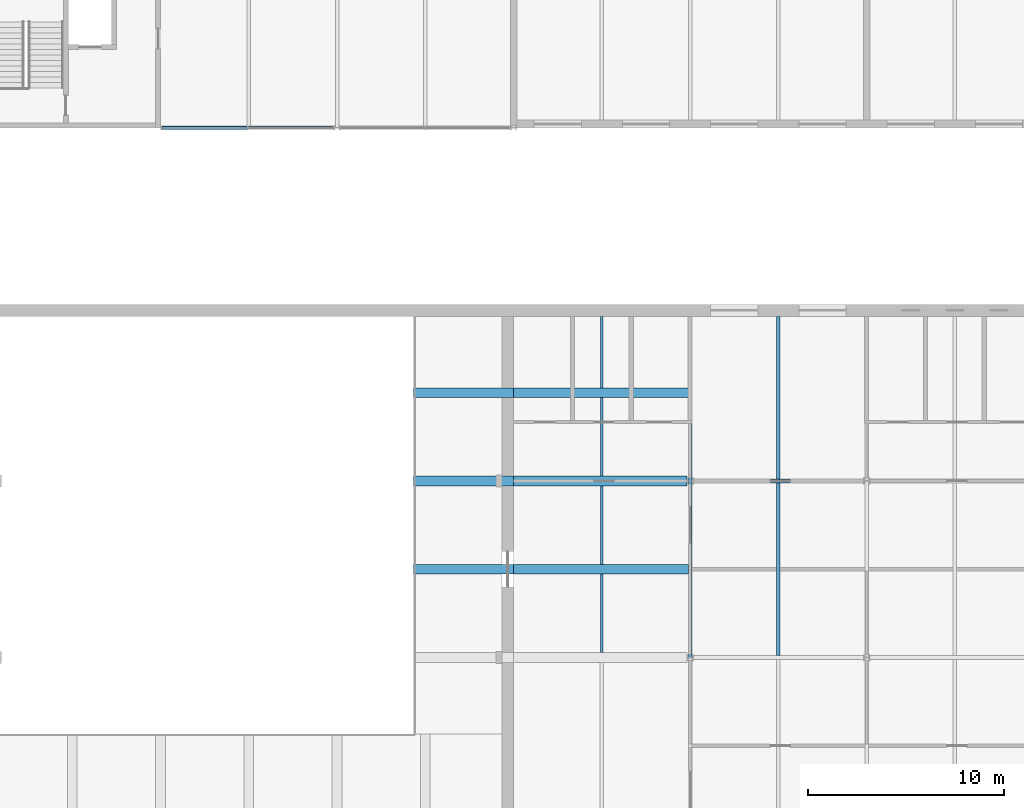
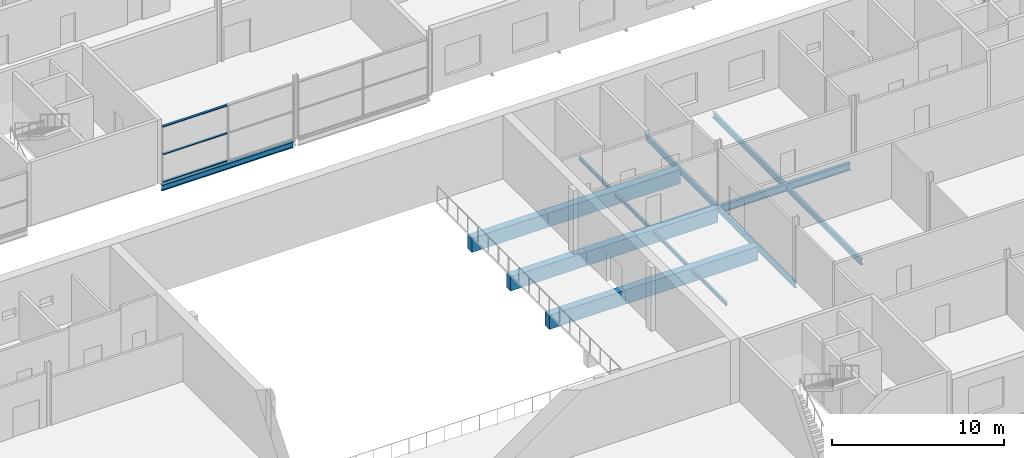
# One storey, part 55 of 97: 16 beams, 3 members, 1 element without a shape of its own.
"""IFC4 building model written with IfcOpenShell, lengths in metres."""

from ifc_helpers import new_model, si_unit, direction, frame, origin, origin_2d, place, context, subcontext, project, spatial, rectangle, i_section, extrude, material, layer, layer_set, material_profile, profile_set, type_object, element, aggregate, save


model = new_model("IFC4")

# Units and contexts
model_context = context("Model", 3, precision=1e-05, world=origin(), true_north=direction((0.0, 1.0)))
body_context = subcontext(model_context, "Body", "Model", "MODEL_VIEW")
ifc_project = project(units=[si_unit("LENGTHUNIT", "METRE"), si_unit("AREAUNIT", "SQUARE_METRE"), si_unit("VOLUMEUNIT", "CUBIC_METRE"), si_unit("PLANEANGLEUNIT", "RADIAN"), si_unit("MASSUNIT", "GRAM", prefix="KILO")], contexts=[model_context])

# Site, building, storey
site_placement = place(None, origin())
site = spatial("IfcSite", under=ifc_project, at=site_placement, CompositionType="ELEMENT")
building_placement = place(site_placement, origin())
building = spatial("IfcBuilding", under=site, at=building_placement, Name="Corbel Yard City Hall", CompositionType="ELEMENT")
storey_placement = place(building_placement, frame((0.0, 0.0, 6.0)))
storey = spatial("IfcBuildingStorey", under=building, at=storey_placement, Name="L01", CompositionType="ELEMENT", Elevation=6.0)

# Beams
ifc_material_1 = material(Name="Steel Grade 300 (300 MPa yield)", Category="steel")
ifc_material_profile_1 = material_profile(ifc_material_1, i_section(OverallWidth=0.177978515625, OverallDepth=0.403076171875, WebThickness=0.007568359375, FlangeThickness=0.010986328125, at=origin_2d()), Name="410UB53.7")
ifc_profile_set_1 = profile_set([ifc_material_profile_1], Name="Steel Grade 300 (300 MPa yield)")
beam_type_1 = type_object("IfcBeamType", Name="Beam 410UB53.7", PredefinedType="BEAM", material=ifc_profile_set_1)
beam_1_placement = place(storey_placement, frame((153.0, 63.0078125, -0.3515625), z_axis=(0.0, 1.0, 0.0), x_axis=(-1.0, 0.0, 0.0)))
element("IfcBeam", 1, at=beam_1_placement, inside=storey, type_object=beam_type_1, Name="Beam 410UB53.7 SB6 L01floor", PredefinedType="BEAM", context=body_context, shape_type="SweptSolid", body=[
    extrude(i_section(OverallWidth=0.177978515625, OverallDepth=0.403076171875, WebThickness=0.007568359375, FlangeThickness=0.010986328125, at=origin_2d()), origin(), (0.0, 0.0, 1.0), 8.984375),
])
beam_2_placement = place(storey_placement, frame((153.0, 72.0078125, -0.3515625), z_axis=(0.0, 1.0, 0.0), x_axis=(-1.0, 0.0, 0.0)))
element("IfcBeam", 2, at=beam_2_placement, inside=storey, type_object=beam_type_1, Name="Beam 410UB53.7 SB6 L01floor", PredefinedType="BEAM", context=body_context, shape_type="SweptSolid", body=[
    extrude(i_section(OverallWidth=0.177978515625, OverallDepth=0.403076171875, WebThickness=0.007568359375, FlangeThickness=0.010986328125, at=origin_2d()), origin(), (0.0, 0.0, 1.0), 8.39208984375),
])
ifc_material_profile_2 = material_profile(ifc_material_1, i_section(OverallWidth=0.177978515625, OverallDepth=0.406005859375, WebThickness=0.0078125, FlangeThickness=0.0126953125, at=origin_2d()), Name="410UB59.7")
ifc_profile_set_2 = profile_set([ifc_material_profile_2], Name="Steel Grade 300 (300 MPa yield)")
beam_type_2 = type_object("IfcBeamType", Name="Edge beam 410UB59.7", PredefinedType="BEAM", material=ifc_profile_set_2)
beam_3_placement = place(storey_placement, frame((126.0, 90.0, -0.35302734375), z_axis=(1.0, 0.0, 0.0), x_axis=(0.0, 1.0, 0.0)))
element("IfcBeam", 3, at=beam_3_placement, inside=storey, type_object=beam_type_2, Name="Edge beam 410UB59.7 EB2 L01floor", PredefinedType="BEAM", context=body_context, shape_type="SweptSolid", body=[
    extrude(i_section(OverallWidth=0.177978515625, OverallDepth=0.406005859375, WebThickness=0.0078125, FlangeThickness=0.0126953125, at=origin_2d()), origin(), (0.0, 0.0, 1.0), 8.842529296875),
])
ifc_material_2 = material(Name="Concrete N40 (40 MPa)", Category="concrete")
ifc_material_profile_3 = material_profile(ifc_material_2, rectangle(XDim=0.5, YDim=1.0, at=origin_2d()), Name="500x1000")
ifc_profile_set_3 = profile_set([ifc_material_profile_3], Name="Concrete N40 (40 MPa)")
beam_type_3 = type_object("IfcBeamType", Name="Gallery back-span beam RC 500X1000", PredefinedType="BEAM", material=ifc_profile_set_3)
beam_4_placement = place(storey_placement, frame((144.0, 67.5, -0.64990234375), z_axis=(1.0, 0.0, 0.0), x_axis=(0.0, 1.0, 0.0)))
element("IfcBeam", 4, at=beam_4_placement, inside=storey, type_object=beam_type_3, Name="Gallery back-span beam RC 500X1000 TB1 L01floor", PredefinedType="BEAM", context=body_context, shape_type="SweptSolid", body=[
    extrude(rectangle(XDim=0.5, YDim=1.0, at=origin_2d()), origin(), (0.0, 0.0, 1.0), 8.910888671875),
])
beam_5_placement = place(storey_placement, frame((144.0, 72.0, -0.64990234375), z_axis=(1.0, 0.0, 0.0), x_axis=(0.0, 1.0, 0.0)))
element("IfcBeam", 5, at=beam_5_placement, inside=storey, type_object=beam_type_3, Name="Gallery back-span beam RC 500X1000 TB1 L01floor", PredefinedType="BEAM", context=body_context, shape_type="SweptSolid", body=[
    extrude(rectangle(XDim=0.5, YDim=1.0, at=origin_2d()), origin(), (0.0, 0.0, 1.0), 8.83642578125),
])
beam_6_placement = place(storey_placement, frame((144.0, 76.5, -0.64990234375), z_axis=(1.0, 0.0, 0.0), x_axis=(0.0, 1.0, 0.0)))
element("IfcBeam", 6, at=beam_6_placement, inside=storey, type_object=beam_type_3, Name="Gallery back-span beam RC 500X1000 TB1 L01floor", PredefinedType="BEAM", context=body_context, shape_type="SweptSolid", body=[
    extrude(rectangle(XDim=0.5, YDim=1.0, at=origin_2d()), origin(), (0.0, 0.0, 1.0), 8.910888671875),
])
ifc_material_profile_4 = material_profile(ifc_material_2, rectangle(XDim=0.5, YDim=1.0, at=origin_2d()), Name="500x1000")
ifc_profile_set_4 = profile_set([ifc_material_profile_4], Name="Concrete N40 (40 MPa)")
beam_type_4 = type_object("IfcBeamType", Name="Gallery cantilever beam RC 500X1000", PredefinedType="BEAM", material=ifc_profile_set_4)
for number, where, z_axis, x_axis, name in (
    (7, (138.89990234375, 67.5, -0.64990234375), (1.0, 0.0, 0.0), (0.0, 1.0, 0.0), "Gallery cantilever beam RC 500X1000 TB2 L01floor"),
    (8, (138.89990234375, 72.0, -0.64990234375), (1.0, 0.0, 0.0), (0.0, 1.0, 0.0), "Gallery cantilever beam RC 500X1000 TB2 L01floor"),
    (9, (138.89990234375, 76.5, -0.64990234375), (1.0, 0.0, 0.0), (0.0, 1.0, 0.0), "Gallery cantilever beam RC 500X1000 TB2 L01floor"),
):
    element("IfcBeam", number, at=place(storey_placement, frame(where, z_axis=z_axis, x_axis=x_axis)), inside=storey, type_object=beam_type_4, Name=name, PredefinedType="BEAM", context=body_context, shape_type="SweptSolid", body=[
        extrude(rectangle(XDim=0.5, YDim=1.0, at=origin_2d()), origin(), (0.0, 0.0, 1.0), 5.10009765625),
    ])
ifc_material_profile_5 = material_profile(ifc_material_1, i_section(OverallWidth=0.208984375, OverallDepth=0.528076171875, WebThickness=0.009521484375, FlangeThickness=0.01318359375, at=origin_2d()), Name="530UB82.0")
ifc_profile_set_5 = profile_set([ifc_material_profile_5], Name="Steel Grade 300 (300 MPa yield)")
beam_type_5 = type_object("IfcBeamType", Name="Girder 530UB82.0", PredefinedType="BEAM", material=ifc_profile_set_5)
beam_7_placement = place(storey_placement, frame((153.16357421875, 72.0, -0.4140625), z_axis=(1.0, 0.0, 0.0), x_axis=(0.0, 1.0, 0.0)))
element("IfcBeam", 10, at=beam_7_placement, inside=storey, type_object=beam_type_5, Name="Girder 530UB82.0 GB3 L01floor", PredefinedType="BEAM", context=body_context, shape_type="SweptSolid", body=[
    extrude(i_section(OverallWidth=0.208984375, OverallDepth=0.528076171875, WebThickness=0.009521484375, FlangeThickness=0.01318359375, at=origin_2d()), origin(), (0.0, 0.0, 1.0), 8.6728515625),
])
ifc_material_profile_6 = material_profile(ifc_material_1, i_section(OverallWidth=0.177978515625, OverallDepth=0.403076171875, WebThickness=0.007568359375, FlangeThickness=0.010986328125, at=origin_2d()), Name="410UB53.7")
ifc_profile_set_6 = profile_set([ifc_material_profile_6], Name="Steel Grade 300 (300 MPa yield)")
beam_type_6 = type_object("IfcBeamType", Name="Secondary beam 410UB53.7", PredefinedType="JOIST", material=ifc_profile_set_6)
beam_8_placement = place(storey_placement, frame((157.5, 63.1044921875, -0.3515625), z_axis=(0.0, 1.0, 0.0), x_axis=(-1.0, 0.0, 0.0)))
element("IfcBeam", 11, at=beam_8_placement, inside=storey, type_object=beam_type_6, Name="Secondary beam 410UB53.7 SB5 L01floor", PredefinedType="JOIST", context=body_context, shape_type="SweptSolid", body=[
    extrude(i_section(OverallWidth=0.177978515625, OverallDepth=0.403076171875, WebThickness=0.007568359375, FlangeThickness=0.010986328125, at=origin_2d()), origin(), (0.0, 0.0, 1.0), 8.791015625),
])
beam_9_placement = place(storey_placement, frame((157.5, 72.1044921875, -0.3515625), z_axis=(0.0, 1.0, 0.0), x_axis=(-1.0, 0.0, 0.0)))
element("IfcBeam", 12, at=beam_9_placement, inside=storey, type_object=beam_type_6, Name="Secondary beam 410UB53.7 SB5 L01floor", PredefinedType="JOIST", context=body_context, shape_type="SweptSolid", body=[
    extrude(i_section(OverallWidth=0.177978515625, OverallDepth=0.403076171875, WebThickness=0.007568359375, FlangeThickness=0.010986328125, at=origin_2d()), origin(), (0.0, 0.0, 1.0), 8.29541015625),
])
ifc_material_profile_7 = material_profile(ifc_material_1, i_section(OverallWidth=0.1240234375, OverallDepth=0.248046875, WebThickness=0.0048828125, FlangeThickness=0.008056640625, at=origin_2d()), Name="250UB25.7")
ifc_profile_set_7 = profile_set([ifc_material_profile_7], Name="Steel Grade 300 (300 MPa yield)")
beam_type_7 = type_object("IfcBeamType", Name="Short secondary beam 250UB25.7", PredefinedType="JOIST", material=ifc_profile_set_7)
for number, where, z_axis, x_axis, name in (
    (13, (148.5, 63.25, -0.27392578125), (0.0, 1.0, 0.0), (-1.0, 0.0, 0.0), "Short secondary beam 250UB25.7 SB9 L01floor"),
    (14, (148.5, 67.75, -0.27392578125), (0.0, 1.0, 0.0), (-1.0, 0.0, 0.0), "Short secondary beam 250UB25.7 SB9 L01floor"),
    (15, (148.5, 72.25, -0.27392578125), (0.0, 1.0, 0.0), (-1.0, 0.0, 0.0), "Short secondary beam 250UB25.7 SB9 L01floor"),
):
    element("IfcBeam", number, at=place(storey_placement, frame(where, z_axis=z_axis, x_axis=x_axis)), inside=storey, type_object=beam_type_7, Name=name, PredefinedType="JOIST", context=body_context, shape_type="SweptSolid", body=[
        extrude(i_section(OverallWidth=0.1240234375, OverallDepth=0.248046875, WebThickness=0.0048828125, FlangeThickness=0.008056640625, at=origin_2d()), origin(), (0.0, 0.0, 1.0), 4.0),
    ])
beam_10_placement = place(storey_placement, frame((148.5, 76.75, -0.27392578125), z_axis=(0.0, 1.0, 0.0), x_axis=(-1.0, 0.0, 0.0)))
element("IfcBeam", 16, at=beam_10_placement, inside=storey, type_object=beam_type_7, Name="Short secondary beam 250UB25.7 SB9 L01floor", PredefinedType="JOIST", context=body_context, shape_type="SweptSolid", body=[
    extrude(i_section(OverallWidth=0.1240234375, OverallDepth=0.248046875, WebThickness=0.0048828125, FlangeThickness=0.008056640625, at=origin_2d()), origin(), (0.0, 0.0, 1.0), 3.64990234375),
])

# Curtain wall, members
ifc_material_3 = material(Name="Aluminium extrusion", Category="aluminium")
ifc_layer = layer(ifc_material_3, 0.199951171875)
ifc_layer_set = layer_set([ifc_layer], Name="Aluminium extrusion")
curtain_wall_type = type_object("IfcCurtainWallType", Name="CW1", PredefinedType="USERDEFINED", material=ifc_layer_set)
curtain_wall_placement = place(storey_placement, origin())
curtain_wall = element("IfcCurtainWall", 17, at=curtain_wall_placement, inside=storey, type_object=curtain_wall_type, Name="Curtain wall CW1 L01", ObjectType="CURTAIN WALL", PredefinedType="USERDEFINED")
ifc_material_profile_8 = material_profile(ifc_material_3, rectangle(XDim=0.14990234375, YDim=0.06494140625, at=origin_2d()), Name="150x65")
ifc_profile_set_8 = profile_set([ifc_material_profile_8], Name="Aluminium extrusion")
member_type = type_object("IfcMemberType", Name="TR1", PredefinedType="USERDEFINED", material=ifc_profile_set_8)
member_1_placement = place(storey_placement, frame((126.06494140625, 90.0, 0.032470703125), z_axis=(1.0, 0.0, 0.0), x_axis=(0.0, 1.0, 0.0)))
member_1 = element("IfcMember", 18, at=member_1_placement, type_object=member_type, Name="CW1 transom 1.1", ObjectType="TRANSOM", PredefinedType="USERDEFINED", context=body_context, shape_type="SweptSolid", body=[
    extrude(rectangle(XDim=0.14990234375, YDim=0.06494140625, at=origin_2d()), origin(), (0.0, 0.0, 1.0), 4.337646484375),
])
member_2_placement = place(storey_placement, frame((126.06494140625, 90.0, 1.99560546875), z_axis=(1.0, 0.0, 0.0), x_axis=(0.0, 1.0, 0.0)))
member_2 = element("IfcMember", 19, at=member_2_placement, type_object=member_type, Name="CW1 transom 1.2", ObjectType="TRANSOM", PredefinedType="USERDEFINED", context=body_context, shape_type="SweptSolid", body=[
    extrude(rectangle(XDim=0.14990234375, YDim=0.06494140625, at=origin_2d()), origin(), (0.0, 0.0, 1.0), 4.337646484375),
])
member_3_placement = place(storey_placement, frame((126.06494140625, 90.0, 3.95849609375), z_axis=(1.0, 0.0, 0.0), x_axis=(0.0, 1.0, 0.0)))
member_3 = element("IfcMember", 20, at=member_3_placement, type_object=member_type, Name="CW1 transom 1.3", ObjectType="TRANSOM", PredefinedType="USERDEFINED", context=body_context, shape_type="SweptSolid", body=[
    extrude(rectangle(XDim=0.14990234375, YDim=0.06494140625, at=origin_2d()), origin(), (0.0, 0.0, 1.0), 4.337646484375),
])
aggregate(curtain_wall, [member_1, member_2, member_3])

save(model, "model.ifc")
